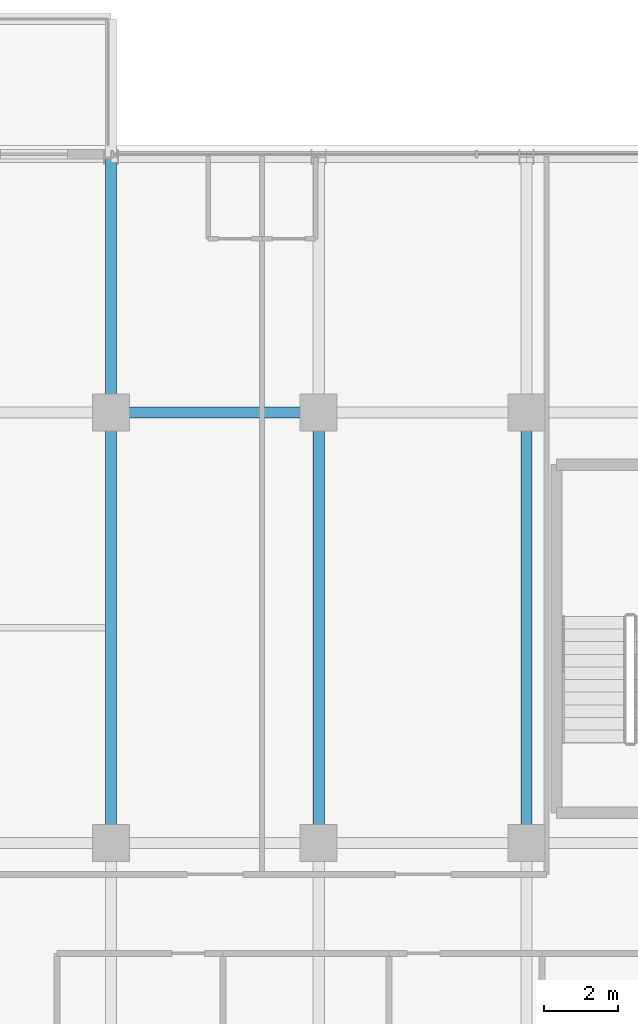
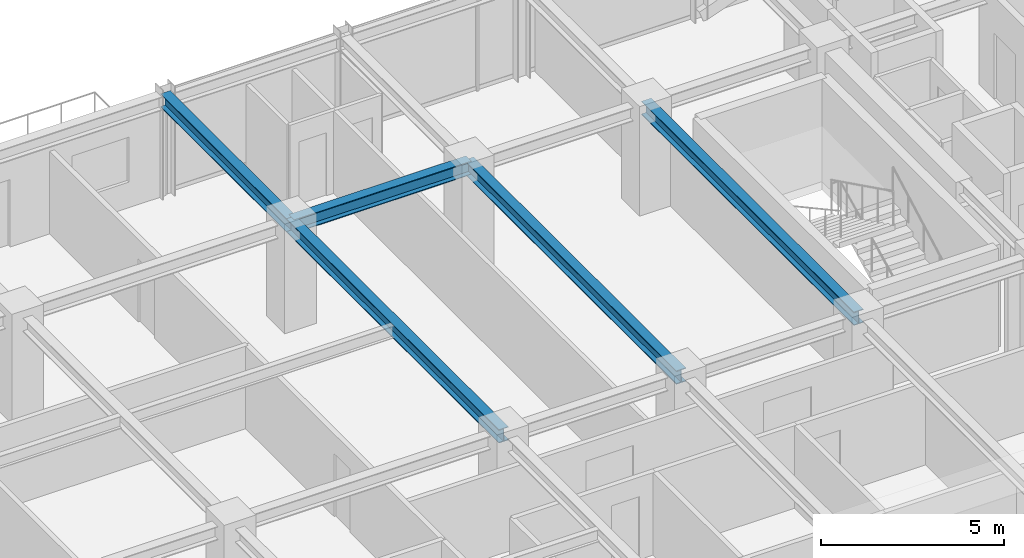
# One storey, part 22 of 36: 5 beams.
"""IFC4 building model written with IfcOpenShell, lengths in metres."""

from ifc_helpers import new_model, si_unit, direction, frame, origin, origin_2d, place, context, subcontext, project, spatial, i_section, extrude, source, transform, mapped, material, material_profile, profile_set, type_object, element, save


model = new_model("IFC4")

# Units and contexts
model_context = context("Model", 3, precision=1e-05, world=origin(), true_north=direction((0.0, 1.0)))
body_context = subcontext(model_context, "Body", "Model", "MODEL_VIEW")
ifc_project = project(units=[si_unit("LENGTHUNIT", "METRE"), si_unit("AREAUNIT", "SQUARE_METRE"), si_unit("VOLUMEUNIT", "CUBIC_METRE"), si_unit("PLANEANGLEUNIT", "RADIAN"), si_unit("MASSUNIT", "GRAM", prefix="KILO")], contexts=[model_context])

# Site, building, storey
site_placement = place(None, origin())
site = spatial("IfcSite", under=ifc_project, at=site_placement, CompositionType="ELEMENT")
building_placement = place(site_placement, origin())
building = spatial("IfcBuilding", under=site, at=building_placement, Name="Nahalor Promenade Grand Hotel", CompositionType="ELEMENT")
storey_placement = place(building_placement, frame((0.0, 0.0, 241.89990234375)))
storey = spatial("IfcBuildingStorey", under=building, at=storey_placement, Name="L62", CompositionType="ELEMENT", Elevation=241.89990234375)

# Beams
ifc_material = material(Name="Steel S355JR", Category="steel")
ifc_material_profile = material_profile(ifc_material, i_section(OverallWidth=0.3, OverallDepth=0.45, WebThickness=0.014, FlangeThickness=0.026, at=origin_2d()), Name="HEB 450")
ifc_profile_set = profile_set([ifc_material_profile], Name="Steel S355JR")
beam_type = type_object("IfcBeamType", Name="Beam-Girder-HEB450", PredefinedType="BEAM", material=ifc_profile_set)
shared_shape_1 = source(origin(), body_context, "Body", "SweptSolid", [
    extrude(i_section(OverallWidth=0.3, OverallDepth=0.45, WebThickness=0.014, FlangeThickness=0.026, at=origin_2d()), origin(), (0.0, 0.0, 1.0), 6.8798828125),
])
beam_1_placement = place(storey_placement, frame((-8.39990234375, 17.0, 3.18505859375), z_axis=(0.0, 1.0, 0.0), x_axis=(-1.0, 0.0, 0.0)))
element("IfcBeam", 1, at=beam_1_placement, inside=storey, type_object=beam_type, Name="BM-L62-GY-1-4", PredefinedType="BEAM", context=body_context, shape_type="MappedRepresentation", body=[
    mapped(shared_shape_1, transform((0.0, 0.0, 0.0), scale=1.0)),
])
shared_shape_2 = source(origin(), body_context, "Body", "SweptSolid", [
    extrude(i_section(OverallWidth=0.3, OverallDepth=0.45, WebThickness=0.014, FlangeThickness=0.026, at=origin_2d()), origin(), (0.0, 0.0, 1.0), 5.599853515625),
])
beam_2_placement = place(storey_placement, frame((-8.39990234375, 17.0, 3.18505859375), z_axis=(1.0, 0.0, 0.0), x_axis=(0.0, 1.0, 0.0)))
element("IfcBeam", 2, at=beam_2_placement, inside=storey, type_object=beam_type, Name="BM-L62-GX-3-2", PredefinedType="BEAM", context=body_context, shape_type="MappedRepresentation", body=[
    mapped(shared_shape_2, transform((0.0, 0.0, 0.0), scale=1.0)),
])
shared_shape_3 = source(origin(), body_context, "Body", "SweptSolid", [
    extrude(i_section(OverallWidth=0.3, OverallDepth=0.45, WebThickness=0.014, FlangeThickness=0.026, at=origin_2d()), origin(), (0.0, 0.0, 1.0), 11.60009765625),
])
for number, where, z_axis, x_axis, name in (
    (3, (-8.39990234375, 5.39990234375, 3.18505859375), (0.0, 1.0, 0.0), (-1.0, 0.0, 0.0), "BM-L62-GY-1-3"),
    (4, (-2.800048828125, 5.39990234375, 3.18505859375), (0.0, 1.0, 0.0), (-1.0, 0.0, 0.0), "BM-L62-GY-2-3"),
    (5, (2.800048828125, 5.39990234375, 3.18505859375), (0.0, 1.0, 0.0), (-1.0, 0.0, 0.0), "BM-L62-GY-3-3"),
):
    element("IfcBeam", number, at=place(storey_placement, frame(where, z_axis=z_axis, x_axis=x_axis)), inside=storey, type_object=beam_type, Name=name, PredefinedType="BEAM", context=body_context, shape_type="MappedRepresentation", body=[
        mapped(shared_shape_3, transform((0.0, 0.0, 0.0), scale=1.0)),
    ])

save(model, "model.ifc")
